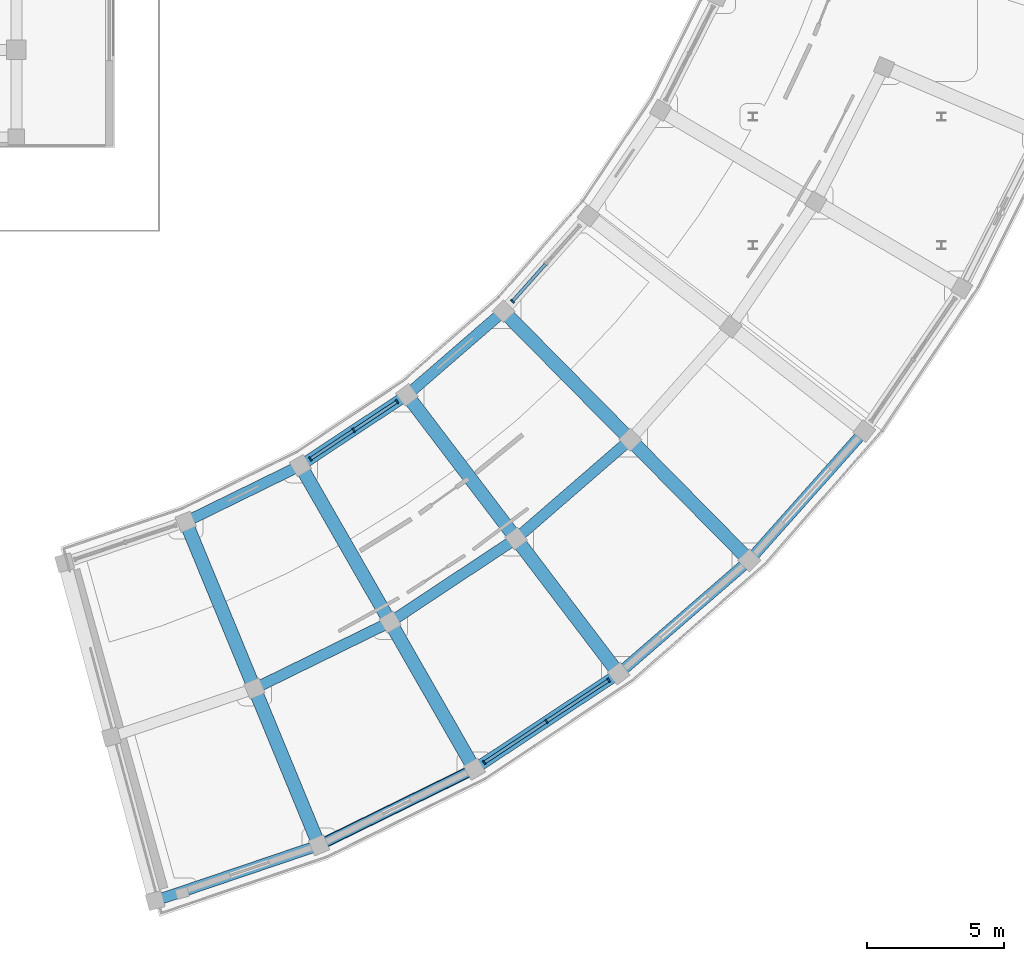
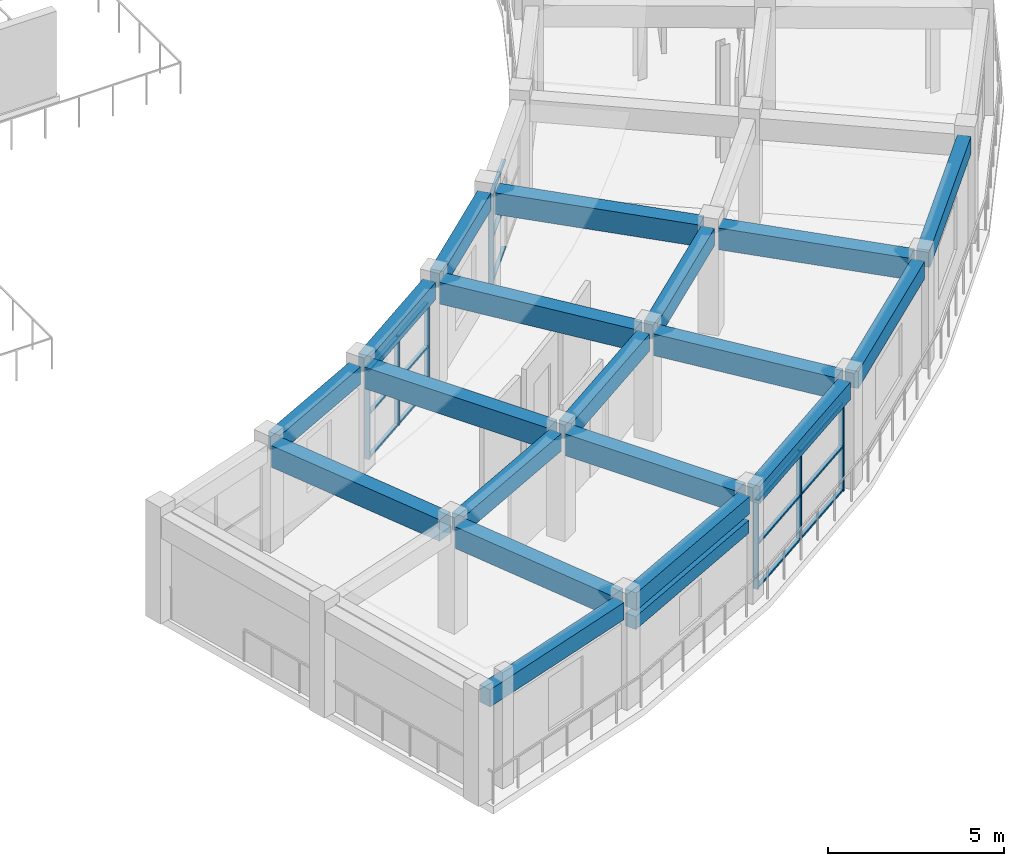
# One storey, part 23 of 72: 22 members, 20 beams, 3 elements without a shape of their own.
"""IFC4 building model written with IfcOpenShell, lengths in metres."""

from ifc_helpers import new_model, si_unit, direction, frame, origin, origin_2d, place, context, subcontext, project, spatial, rectangle, extrude, material, material_profile, profile_set, type_object, element, aggregate, save


model = new_model("IFC4")

# Units and contexts
model_context = context("Model", 3, precision=1e-05, world=origin(), true_north=direction((0.0, 1.0)))
body_context = subcontext(model_context, "Body", "Model", "MODEL_VIEW")
ifc_project = project(units=[si_unit("LENGTHUNIT", "METRE"), si_unit("AREAUNIT", "SQUARE_METRE"), si_unit("VOLUMEUNIT", "CUBIC_METRE"), si_unit("PLANEANGLEUNIT", "RADIAN"), si_unit("MASSUNIT", "GRAM", prefix="KILO")], contexts=[model_context])

# Site, building, storey
site_placement = place(None, origin())
site = spatial("IfcSite", under=ifc_project, at=site_placement, CompositionType="ELEMENT")
building_placement = place(site_placement, origin())
building = spatial("IfcBuilding", under=site, at=building_placement, Name="Saryqyr Civic Hall", CompositionType="ELEMENT")
storey_placement = place(building_placement, frame((0.0, 0.0, 17.25)))
storey = spatial("IfcBuildingStorey", under=building, at=storey_placement, Name="L04", CompositionType="ELEMENT", Elevation=17.25)

# Curtain wall, members
ifc_material_1 = material(Name="Anodised aluminium and triple low-E glass", Category="aluminium")
curtain_wall_type_1 = type_object("IfcCurtainWallType", Name="ENV-CW-STD-16", PredefinedType="NOTDEFINED", material=ifc_material_1)
curtain_wall_1_placement = place(storey_placement, origin())
curtain_wall_1 = element("IfcCurtainWall", 1, at=curtain_wall_1_placement, inside=storey, type_object=curtain_wall_type_1, Name="Curtain wall V5-CWO-L04-02", PredefinedType="NOTDEFINED")
ifc_material_2 = material(Name="Anodised aluminium", Category="aluminium")
ifc_material_profile_1 = material_profile(ifc_material_2, rectangle(XDim=0.06005859375, YDim=0.159912109375, at=origin_2d()), Name="ALU MULLION 60x160")
ifc_profile_set_1 = profile_set([ifc_material_profile_1], Name="Anodised aluminium")
member_type_1 = type_object("IfcMemberType", Name="ENV-CW-MUL-180", PredefinedType="MULLION", material=ifc_profile_set_1)
member_1_placement = place(storey_placement, frame((86.2705078125, 44.736083984375, 0.0), z_axis=(0.0, 0.0, 1.0), x_axis=(-0.833756980548, -0.552131594266, 0.0)))
member_1 = element("IfcMember", 2, at=member_1_placement, type_object=member_type_1, Name="CW-16 mullion 1", PredefinedType="MULLION", context=body_context, shape_type="SweptSolid", body=[
    extrude(rectangle(XDim=0.06005859375, YDim=0.159912109375, at=origin_2d()), origin(), (0.0, 0.0, 1.0), 3.0849609375),
])
member_2_placement = place(storey_placement, frame((83.997314453125, 43.230712890625, 0.0), z_axis=(0.0, 0.0, 1.0), x_axis=(-0.833756980548, -0.552131594266, 0.0)))
member_2 = element("IfcMember", 3, at=member_2_placement, type_object=member_type_1, Name="CW-16 mullion 2", PredefinedType="MULLION", context=body_context, shape_type="SweptSolid", body=[
    extrude(rectangle(XDim=0.06005859375, YDim=0.159912109375, at=origin_2d()), origin(), (0.0, 0.0, 1.0), 3.0849609375),
])
member_3_placement = place(storey_placement, frame((81.72412109375, 41.725341796875, 0.0), z_axis=(0.0, 0.0, 1.0), x_axis=(-0.833756980548, -0.552131594266, 0.0)))
member_3 = element("IfcMember", 4, at=member_3_placement, type_object=member_type_1, Name="CW-16 mullion 3", PredefinedType="MULLION", context=body_context, shape_type="SweptSolid", body=[
    extrude(rectangle(XDim=0.06005859375, YDim=0.159912109375, at=origin_2d()), origin(), (0.0, 0.0, 1.0), 3.0849609375),
])

curtain_wall_type_2 = type_object("IfcCurtainWallType", Name="ENV-CW-STD-17", PredefinedType="NOTDEFINED", material=ifc_material_1)
curtain_wall_2_placement = place(storey_placement, origin())
curtain_wall_2 = element("IfcCurtainWall", 5, at=curtain_wall_2_placement, inside=storey, type_object=curtain_wall_type_2, Name="Curtain wall V5-CWI-L04-02", PredefinedType="NOTDEFINED")
member_4_placement = place(storey_placement, frame((75.36083984375, 52.83154296875, 0.0), z_axis=(0.0, 0.0, 1.0), x_axis=(0.833756291383, 0.552132634953, 0.0)))
member_4 = element("IfcMember", 6, at=member_4_placement, type_object=member_type_1, Name="CW-17 mullion 1", PredefinedType="MULLION", context=body_context, shape_type="SweptSolid", body=[
    extrude(rectangle(XDim=0.06005859375, YDim=0.159912109375, at=origin_2d()), origin(), (0.0, 0.0, 1.0), 3.0849609375),
])
member_5_placement = place(storey_placement, frame((76.945068359375, 53.880615234375, 0.0), z_axis=(0.0, 0.0, 1.0), x_axis=(0.833756291383, 0.552132634953, 0.0)))
member_5 = element("IfcMember", 7, at=member_5_placement, type_object=member_type_1, Name="CW-17 mullion 2", PredefinedType="MULLION", context=body_context, shape_type="SweptSolid", body=[
    extrude(rectangle(XDim=0.06005859375, YDim=0.159912109375, at=origin_2d()), origin(), (0.0, 0.0, 1.0), 3.0849609375),
])
member_6_placement = place(storey_placement, frame((78.529052734375, 54.9296875, 0.0), z_axis=(0.0, 0.0, 1.0), x_axis=(0.833756291383, 0.552132634953, 0.0)))
member_6 = element("IfcMember", 8, at=member_6_placement, type_object=member_type_1, Name="CW-17 mullion 3", PredefinedType="MULLION", context=body_context, shape_type="SweptSolid", body=[
    extrude(rectangle(XDim=0.06005859375, YDim=0.159912109375, at=origin_2d()), origin(), (0.0, 0.0, 1.0), 3.0849609375),
])

# Curtain wall, member
curtain_wall_type_3 = type_object("IfcCurtainWallType", Name="ENV-CW-STD-20", PredefinedType="NOTDEFINED", material=ifc_material_1)
curtain_wall_3_placement = place(storey_placement, origin())
curtain_wall_3 = element("IfcCurtainWall", 9, at=curtain_wall_3_placement, inside=storey, type_object=curtain_wall_type_3, Name="Curtain wall V5-CWI-L04-04", PredefinedType="NOTDEFINED")
member_7_placement = place(storey_placement, frame((82.74951171875, 58.595947265625, 0.0), z_axis=(0.0, 0.0, 1.0), x_axis=(0.664934070862, 0.7469020561, 0.0)))
member_7 = element("IfcMember", 10, at=member_7_placement, type_object=member_type_1, Name="CW-20 mullion 1", PredefinedType="MULLION", context=body_context, shape_type="SweptSolid", body=[
    extrude(rectangle(XDim=0.06005859375, YDim=0.159912109375, at=origin_2d()), origin(), (0.0, 0.0, 1.0), 3.0849609375),
])

# Member
ifc_material_profile_2 = material_profile(ifc_material_2, rectangle(XDim=0.1201171875, YDim=0.06005859375, at=origin_2d()), Name="ALU TRANSOM 120x60")
ifc_profile_set_2 = profile_set([ifc_material_profile_2], Name="Anodised aluminium")
member_type_2 = type_object("IfcMemberType", Name="ENV-CW-TRN-150", PredefinedType="USERDEFINED", material=ifc_profile_set_2)
member_8_placement = place(storey_placement, frame((86.24560546875, 44.719482421875, 0.030029296875), z_axis=(-0.833764852013, -0.552119707625, 0.0), x_axis=(0.552119707625, -0.833764852013, 0.0)))
member_8 = element("IfcMember", 11, at=member_8_placement, type_object=member_type_2, Name="CW-16 transom 1.1", ObjectType="TRANSOM", PredefinedType="USERDEFINED", context=body_context, shape_type="SweptSolid", body=[
    extrude(rectangle(XDim=0.1201171875, YDim=0.06005859375, at=origin_2d()), origin(), (0.0, 0.0, 1.0), 2.66650390625),
])

member_9_placement = place(storey_placement, frame((86.24560546875, 44.719482421875, 1.54296875), z_axis=(-0.833764852013, -0.552119707625, 0.0), x_axis=(0.552119707625, -0.833764852013, 0.0)))
member_9 = element("IfcMember", 12, at=member_9_placement, type_object=member_type_2, Name="CW-16 transom 1.2", ObjectType="TRANSOM", PredefinedType="USERDEFINED", context=body_context, shape_type="SweptSolid", body=[
    extrude(rectangle(XDim=0.1201171875, YDim=0.06005859375, at=origin_2d()), origin(), (0.0, 0.0, 1.0), 2.66650390625),
])

member_10_placement = place(storey_placement, frame((86.24560546875, 44.719482421875, 3.054931640625), z_axis=(-0.833764852013, -0.552119707625, 0.0), x_axis=(0.552119707625, -0.833764852013, 0.0)))
member_10 = element("IfcMember", 13, at=member_10_placement, type_object=member_type_2, Name="CW-16 transom 1.3", ObjectType="TRANSOM", PredefinedType="USERDEFINED", context=body_context, shape_type="SweptSolid", body=[
    extrude(rectangle(XDim=0.1201171875, YDim=0.06005859375, at=origin_2d()), origin(), (0.0, 0.0, 1.0), 2.66650390625),
])

member_11_placement = place(storey_placement, frame((83.972412109375, 43.214111328125, 0.030029296875), z_axis=(-0.833792760269, -0.552077560604, 0.0), x_axis=(0.552077560604, -0.833792760269, 0.0)))
member_11 = element("IfcMember", 14, at=member_11_placement, type_object=member_type_2, Name="CW-16 transom 2.1", ObjectType="TRANSOM", PredefinedType="USERDEFINED", context=body_context, shape_type="SweptSolid", body=[
    extrude(rectangle(XDim=0.1201171875, YDim=0.06005859375, at=origin_2d()), origin(), (0.0, 0.0, 1.0), 2.66650390625),
])

member_12_placement = place(storey_placement, frame((83.972412109375, 43.214111328125, 1.54296875), z_axis=(-0.833792760269, -0.552077560604, 0.0), x_axis=(0.552077560604, -0.833792760269, 0.0)))
member_12 = element("IfcMember", 15, at=member_12_placement, type_object=member_type_2, Name="CW-16 transom 2.2", ObjectType="TRANSOM", PredefinedType="USERDEFINED", context=body_context, shape_type="SweptSolid", body=[
    extrude(rectangle(XDim=0.1201171875, YDim=0.06005859375, at=origin_2d()), origin(), (0.0, 0.0, 1.0), 2.66650390625),
])

member_13_placement = place(storey_placement, frame((83.972412109375, 43.214111328125, 3.054931640625), z_axis=(-0.833792760269, -0.552077560604, 0.0), x_axis=(0.552077560604, -0.833792760269, 0.0)))
member_13 = element("IfcMember", 16, at=member_13_placement, type_object=member_type_2, Name="CW-16 transom 2.3", ObjectType="TRANSOM", PredefinedType="USERDEFINED", context=body_context, shape_type="SweptSolid", body=[
    extrude(rectangle(XDim=0.1201171875, YDim=0.06005859375, at=origin_2d()), origin(), (0.0, 0.0, 1.0), 2.66650390625),
])

aggregate(curtain_wall_1, [member_1, member_2, member_3, member_8, member_9, member_10, member_11, member_12, member_13])

member_14_placement = place(storey_placement, frame((75.385986328125, 52.84814453125, 0.030029296875), z_axis=(0.833740862304, 0.552155933161, 0.0), x_axis=(-0.552155933161, 0.833740862304, 0.0)))
member_14 = element("IfcMember", 17, at=member_14_placement, type_object=member_type_2, Name="CW-17 transom 1.1", ObjectType="TRANSOM", PredefinedType="USERDEFINED", context=body_context, shape_type="SweptSolid", body=[
    extrude(rectangle(XDim=0.1201171875, YDim=0.06005859375, at=origin_2d()), origin(), (0.0, 0.0, 1.0), 1.83984375),
])

member_15_placement = place(storey_placement, frame((75.385986328125, 52.84814453125, 1.54296875), z_axis=(0.833740862304, 0.552155933161, 0.0), x_axis=(-0.552155933161, 0.833740862304, 0.0)))
member_15 = element("IfcMember", 18, at=member_15_placement, type_object=member_type_2, Name="CW-17 transom 1.2", ObjectType="TRANSOM", PredefinedType="USERDEFINED", context=body_context, shape_type="SweptSolid", body=[
    extrude(rectangle(XDim=0.1201171875, YDim=0.06005859375, at=origin_2d()), origin(), (0.0, 0.0, 1.0), 1.83984375),
])

member_16_placement = place(storey_placement, frame((75.385986328125, 52.84814453125, 3.054931640625), z_axis=(0.833740862304, 0.552155933161, 0.0), x_axis=(-0.552155933161, 0.833740862304, 0.0)))
member_16 = element("IfcMember", 19, at=member_16_placement, type_object=member_type_2, Name="CW-17 transom 1.3", ObjectType="TRANSOM", PredefinedType="USERDEFINED", context=body_context, shape_type="SweptSolid", body=[
    extrude(rectangle(XDim=0.1201171875, YDim=0.06005859375, at=origin_2d()), origin(), (0.0, 0.0, 1.0), 1.83984375),
])

member_17_placement = place(storey_placement, frame((76.969970703125, 53.897216796875, 0.030029296875), z_axis=(0.833740862304, 0.552155933161, 0.0), x_axis=(-0.552155933161, 0.833740862304, 0.0)))
member_17 = element("IfcMember", 20, at=member_17_placement, type_object=member_type_2, Name="CW-17 transom 2.1", ObjectType="TRANSOM", PredefinedType="USERDEFINED", context=body_context, shape_type="SweptSolid", body=[
    extrude(rectangle(XDim=0.1201171875, YDim=0.06005859375, at=origin_2d()), origin(), (0.0, 0.0, 1.0), 1.83984375),
])

member_18_placement = place(storey_placement, frame((76.969970703125, 53.897216796875, 1.54296875), z_axis=(0.833740862304, 0.552155933161, 0.0), x_axis=(-0.552155933161, 0.833740862304, 0.0)))
member_18 = element("IfcMember", 21, at=member_18_placement, type_object=member_type_2, Name="CW-17 transom 2.2", ObjectType="TRANSOM", PredefinedType="USERDEFINED", context=body_context, shape_type="SweptSolid", body=[
    extrude(rectangle(XDim=0.1201171875, YDim=0.06005859375, at=origin_2d()), origin(), (0.0, 0.0, 1.0), 1.83984375),
])

member_19_placement = place(storey_placement, frame((76.969970703125, 53.897216796875, 3.054931640625), z_axis=(0.833740862304, 0.552155933161, 0.0), x_axis=(-0.552155933161, 0.833740862304, 0.0)))
member_19 = element("IfcMember", 22, at=member_19_placement, type_object=member_type_2, Name="CW-17 transom 2.3", ObjectType="TRANSOM", PredefinedType="USERDEFINED", context=body_context, shape_type="SweptSolid", body=[
    extrude(rectangle(XDim=0.1201171875, YDim=0.06005859375, at=origin_2d()), origin(), (0.0, 0.0, 1.0), 1.83984375),
])

aggregate(curtain_wall_2, [member_4, member_5, member_6, member_14, member_15, member_16, member_17, member_18, member_19])

member_20_placement = place(storey_placement, frame((82.76953125, 58.618408203125, 0.030029296875), z_axis=(0.664989244005, 0.746852934223, 0.0), x_axis=(-0.746852934223, 0.664989244005, 0.0)))
member_20 = element("IfcMember", 23, at=member_20_placement, type_object=member_type_2, Name="CW-20 transom 1.1", ObjectType="TRANSOM", PredefinedType="USERDEFINED", context=body_context, shape_type="SweptSolid", body=[
    extrude(rectangle(XDim=0.1201171875, YDim=0.06005859375, at=origin_2d()), origin(), (0.0, 0.0, 1.0), 1.792236328125),
])

member_21_placement = place(storey_placement, frame((82.76953125, 58.618408203125, 1.54296875), z_axis=(0.664989244005, 0.746852934223, 0.0), x_axis=(-0.746852934223, 0.664989244005, 0.0)))
member_21 = element("IfcMember", 24, at=member_21_placement, type_object=member_type_2, Name="CW-20 transom 1.2", ObjectType="TRANSOM", PredefinedType="USERDEFINED", context=body_context, shape_type="SweptSolid", body=[
    extrude(rectangle(XDim=0.1201171875, YDim=0.06005859375, at=origin_2d()), origin(), (0.0, 0.0, 1.0), 1.792236328125),
])

member_22_placement = place(storey_placement, frame((82.76953125, 58.618408203125, 3.054931640625), z_axis=(0.664989244005, 0.746852934223, 0.0), x_axis=(-0.746852934223, 0.664989244005, 0.0)))
member_22 = element("IfcMember", 25, at=member_22_placement, type_object=member_type_2, Name="CW-20 transom 1.3", ObjectType="TRANSOM", PredefinedType="USERDEFINED", context=body_context, shape_type="SweptSolid", body=[
    extrude(rectangle(XDim=0.1201171875, YDim=0.06005859375, at=origin_2d()), origin(), (0.0, 0.0, 1.0), 1.792236328125),
])

aggregate(curtain_wall_3, [member_7, member_20, member_21, member_22])

# Beams
ifc_material_3 = material(Name="Concrete C35/45", Category="concrete")
ifc_material_profile_3 = material_profile(ifc_material_3, rectangle(XDim=0.39990234375, YDim=0.60009765625, at=origin_2d()), Name="RC 400x600")
ifc_profile_set_3 = profile_set([ifc_material_profile_3], Name="Concrete C35/45")
beam_type_1 = type_object("IfcBeamType", Name="STR-BM-RC400x600", PredefinedType="BEAM", material=ifc_profile_set_3)
for number, where, z_axis, x_axis, name in (
    (26, (73.560302734375, 44.552001953125, 3.409912109375), (0.897969369862, 0.440057962989, 0.0), (-0.440057962989, 0.897969369862, 0.0), "Beam V5-CBM-MID01-L04"),
    (27, (78.50634765625, 47.01513671875, 3.409912109375), (0.833759218515, 0.552128214767, 0.0), (-0.552128214767, 0.833759218515, 0.0), "Beam V5-CBM-MID02-L04"),
):
    element("IfcBeam", number, at=place(storey_placement, frame(where, z_axis=z_axis, x_axis=x_axis)), inside=storey, type_object=beam_type_1, Name=name, PredefinedType="BEAM", context=body_context, shape_type="SweptSolid", body=[
        extrude(rectangle(XDim=0.39990234375, YDim=0.60009765625, at=origin_2d()), origin(), (0.0, 0.0, 1.0), 4.9775390625),
    ])
beam_1_placement = place(storey_placement, frame((83.093505859375, 50.095458984375, 3.409912109375), z_axis=(0.755658334576, 0.654966015443, 0.0), x_axis=(-0.654966015443, 0.755658334576, 0.0)))
element("IfcBeam", 28, at=beam_1_placement, inside=storey, type_object=beam_type_1, Name="Beam V5-CBM-MID03-L04", PredefinedType="BEAM", context=body_context, shape_type="SweptSolid", body=[
    extrude(rectangle(XDim=0.39990234375, YDim=0.60009765625, at=origin_2d()), origin(), (0.0, 0.0, 1.0), 4.977783203125),
])
ifc_material_profile_4 = material_profile(ifc_material_3, rectangle(XDim=0.39990234375, YDim=0.60009765625, at=origin_2d()), Name="RC 400x600")
ifc_profile_set_4 = profile_set([ifc_material_profile_4], Name="Concrete C35/45")
beam_type_2 = type_object("IfcBeamType", Name="STR-BM-RC400x600-EXT", PredefinedType="BEAM", material=ifc_profile_set_4)
beam_2_placement = place(storey_placement, frame((69.942626953125, 36.7578125, 3.409912109375), z_axis=(0.947202743772, 0.320635247892, 0.0), x_axis=(-0.320635247892, 0.947202743772, 0.0)))
element("IfcBeam", 29, at=beam_2_placement, inside=storey, type_object=beam_type_2, Name="Beam V5-CBM-OUT00-L04", PredefinedType="BEAM", context=body_context, shape_type="SweptSolid", body=[
    extrude(rectangle(XDim=0.39990234375, YDim=0.60009765625, at=origin_2d()), origin(), (0.0, 0.0, 1.0), 5.778564453125),
])
beam_3_placement = place(storey_placement, frame((71.044677734375, 50.653564453125, 3.409912109375), z_axis=(0.897961536886, 0.440073946371, 0.0), x_axis=(-0.440073946371, 0.897961536886, 0.0)))
element("IfcBeam", 30, at=beam_3_placement, inside=storey, type_object=beam_type_2, Name="Beam V5-CBM-IN01-L04", PredefinedType="BEAM", context=body_context, shape_type="SweptSolid", body=[
    extrude(rectangle(XDim=0.39990234375, YDim=0.60009765625, at=origin_2d()), origin(), (0.0, 0.0, 1.0), 4.125244140625),
])
beam_4_placement = place(storey_placement, frame((75.92333984375, 38.81982421875, 3.409912109375), z_axis=(0.897964591433, 0.440067713577, 0.0), x_axis=(-0.440067713577, 0.897964591433, 0.0)))
element("IfcBeam", 31, at=beam_4_placement, inside=storey, type_object=beam_type_2, Name="Beam V5-CBM-OUT01-L04", PredefinedType="BEAM", context=body_context, shape_type="SweptSolid", body=[
    extrude(rectangle(XDim=0.39990234375, YDim=0.60009765625, at=origin_2d()), origin(), (0.0, 0.0, 1.0), 5.778564453125),
])
beam_5_placement = place(storey_placement, frame((75.22509765625, 52.74169921875, 3.409912109375), z_axis=(0.833757941264, 0.552130143516, 0.0), x_axis=(-0.552130143516, 0.833757941264, 0.0)))
element("IfcBeam", 32, at=beam_5_placement, inside=storey, type_object=beam_type_2, Name="Beam V5-CBM-IN02-L04", PredefinedType="BEAM", context=body_context, shape_type="SweptSolid", body=[
    extrude(rectangle(XDim=0.39990234375, YDim=0.60009765625, at=origin_2d()), origin(), (0.0, 0.0, 1.0), 4.12548828125),
])
beam_6_placement = place(storey_placement, frame((81.58837890625, 41.635498046875, 3.409912109375), z_axis=(0.833762314581, 0.552123539422, 0.0), x_axis=(-0.552123539422, 0.833762314581, 0.0)))
element("IfcBeam", 33, at=beam_6_placement, inside=storey, type_object=beam_type_2, Name="Beam V5-CBM-OUT02-L04", PredefinedType="BEAM", context=body_context, shape_type="SweptSolid", body=[
    extrude(rectangle(XDim=0.39990234375, YDim=0.60009765625, at=origin_2d()), origin(), (0.0, 0.0, 1.0), 5.778564453125),
])
beam_7_placement = place(storey_placement, frame((79.101806640625, 55.351318359375, 3.409912109375), z_axis=(0.755618782617, 0.655011645207, 0.0), x_axis=(-0.655011645207, 0.755618782617, 0.0)))
element("IfcBeam", 34, at=beam_7_placement, inside=storey, type_object=beam_type_2, Name="Beam V5-CBM-IN03-L04", PredefinedType="BEAM", context=body_context, shape_type="SweptSolid", body=[
    extrude(rectangle(XDim=0.39990234375, YDim=0.60009765625, at=origin_2d()), origin(), (0.0, 0.0, 1.0), 4.125244140625),
])
for number, where, z_axis, x_axis, name in (
    (35, (86.843505859375, 45.157958984375, 3.409912109375), (0.755654230233, 0.654970750745, 0.0), (-0.654970750745, 0.755654230233, 0.0), "Beam V5-CBM-OUT03-L04"),
    (36, (91.6005859375, 49.328125, 3.409912109375), (0.664935334845, 0.74690093083, 0.0), (-0.74690093083, 0.664935334845, 0.0), "Beam V5-CBM-OUT04-L04"),
):
    element("IfcBeam", number, at=place(storey_placement, frame(where, z_axis=z_axis, x_axis=x_axis)), inside=storey, type_object=beam_type_2, Name=name, PredefinedType="BEAM", context=body_context, shape_type="SweptSolid", body=[
        extrude(rectangle(XDim=0.39990234375, YDim=0.60009765625, at=origin_2d()), origin(), (0.0, 0.0, 1.0), 5.7783203125),
    ])
ifc_material_4 = material(Name="Concrete C40/50", Category="concrete")
ifc_material_profile_5 = material_profile(ifc_material_4, rectangle(XDim=0.5, YDim=0.75, at=origin_2d()), Name="RC 500x750")
ifc_profile_set_5 = profile_set([ifc_material_profile_5], Name="Concrete C40/50")
beam_type_3 = type_object("IfcBeamType", Name="STR-BM-RC500x750", PredefinedType="BEAM", material=ifc_profile_set_5)
beam_8_placement = place(storey_placement, frame((70.902587890625, 50.2783203125, 3.3349609375), z_axis=(0.381145552092, -0.924515044832, 0.0), x_axis=(0.924515044832, 0.381145552092, 0.0)))
element("IfcBeam", 37, at=beam_8_placement, inside=storey, type_object=beam_type_3, Name="Beam V5-RBM-A01-L04", PredefinedType="BEAM", context=body_context, shape_type="SweptSolid", body=[
    extrude(rectangle(XDim=0.5, YDim=0.75, at=origin_2d()), origin(), (0.0, 0.0, 1.0), 6.050048828125),
])
beam_9_placement = place(storey_placement, frame((73.418212890625, 44.1767578125, 3.3349609375), z_axis=(0.381114889866, -0.924527685212, 0.0), x_axis=(0.924527685212, 0.381114889866, 0.0)))
element("IfcBeam", 38, at=beam_9_placement, inside=storey, type_object=beam_type_3, Name="Beam V5-RBM-B01-L04", PredefinedType="BEAM", context=body_context, shape_type="SweptSolid", body=[
    extrude(rectangle(XDim=0.5, YDim=0.75, at=origin_2d()), origin(), (0.0, 0.0, 1.0), 5.650146484375),
])
beam_10_placement = place(storey_placement, frame((75.132568359375, 52.351318359375, 3.3349609375), z_axis=(0.497164210685, -0.867656468664, 0.0), x_axis=(0.867656468664, 0.497164210685, 0.0)))
element("IfcBeam", 39, at=beam_10_placement, inside=storey, type_object=beam_type_3, Name="Beam V5-RBM-A02-L04", PredefinedType="BEAM", context=body_context, shape_type="SweptSolid", body=[
    extrude(rectangle(XDim=0.5, YDim=0.75, at=origin_2d()), origin(), (0.0, 0.0, 1.0), 6.050048828125),
])
beam_11_placement = place(storey_placement, frame((78.413818359375, 46.624755859375, 3.3349609375), z_axis=(0.497106570518, -0.867689493741, 0.0), x_axis=(0.867689493741, 0.497106570518, 0.0)))
element("IfcBeam", 40, at=beam_11_placement, inside=storey, type_object=beam_type_3, Name="Beam V5-RBM-B02-L04", PredefinedType="BEAM", context=body_context, shape_type="SweptSolid", body=[
    extrude(rectangle(XDim=0.5, YDim=0.75, at=origin_2d()), origin(), (0.0, 0.0, 1.0), 5.64990234375),
])
beam_12_placement = place(storey_placement, frame((79.060302734375, 54.952392578125, 3.3349609375), z_axis=(0.60481209734, -0.796368210636, 0.0), x_axis=(0.796368210636, 0.60481209734, 0.0)))
element("IfcBeam", 41, at=beam_12_placement, inside=storey, type_object=beam_type_3, Name="Beam V5-RBM-A03-L04", PredefinedType="BEAM", context=body_context, shape_type="SweptSolid", body=[
    extrude(rectangle(XDim=0.5, YDim=0.75, at=origin_2d()), origin(), (0.0, 0.0, 1.0), 6.050048828125),
])
beam_13_placement = place(storey_placement, frame((83.052001953125, 49.6962890625, 3.3349609375), z_axis=(0.604814812056, -0.796366148903, 0.0), x_axis=(0.796366148903, 0.604814812056, 0.0)))
element("IfcBeam", 42, at=beam_13_placement, inside=storey, type_object=beam_type_3, Name="Beam V5-RBM-B03-L04", PredefinedType="BEAM", context=body_context, shape_type="SweptSolid", body=[
    extrude(rectangle(XDim=0.5, YDim=0.75, at=origin_2d()), origin(), (0.0, 0.0, 1.0), 5.650146484375),
])
beam_14_placement = place(storey_placement, frame((82.6201171875, 58.037841796875, 3.3349609375), z_axis=(0.702389990829, -0.711792315766, 0.0), x_axis=(0.711792315766, 0.702389990829, 0.0)))
element("IfcBeam", 43, at=beam_14_placement, inside=storey, type_object=beam_type_3, Name="Beam V5-RBM-A04-L04", PredefinedType="BEAM", context=body_context, shape_type="SweptSolid", body=[
    extrude(rectangle(XDim=0.5, YDim=0.75, at=origin_2d()), origin(), (0.0, 0.0, 1.0), 6.050048828125),
])
beam_15_placement = place(storey_placement, frame((87.256103515625, 53.340087890625, 3.3349609375), z_axis=(0.702381187414, -0.711801002785, 0.0), x_axis=(0.711801002785, 0.702381187414, 0.0)))
element("IfcBeam", 44, at=beam_15_placement, inside=storey, type_object=beam_type_3, Name="Beam V5-RBM-B04-L04", PredefinedType="BEAM", context=body_context, shape_type="SweptSolid", body=[
    extrude(rectangle(XDim=0.5, YDim=0.75, at=origin_2d()), origin(), (0.0, 0.0, 1.0), 5.650146484375),
])
ifc_material_5 = material(Name="Precast concrete C40/50", Category="concrete")
ifc_material_profile_6 = material_profile(ifc_material_5, rectangle(XDim=0.35009765625, YDim=0.449951171875, at=origin_2d()), Name="RC 350x450")
ifc_profile_set_6 = profile_set([ifc_material_profile_6], Name="Precast concrete C40/50")
beam_type_4 = type_object("IfcBeamType", Name="STR-LIN-RC350x450", PredefinedType="LINTEL", material=ifc_profile_set_6)
beam_16_placement = place(storey_placement, frame((75.92333984375, 38.81982421875, 2.655029296875), z_axis=(0.897964591433, 0.440067713577, 0.0), x_axis=(-0.440067713577, 0.897964591433, 0.0)))
element("IfcBeam", 45, at=beam_16_placement, inside=storey, type_object=beam_type_4, Name="Beam V5-LIN-01-L04", PredefinedType="LINTEL", context=body_context, shape_type="SweptSolid", body=[
    extrude(rectangle(XDim=0.35009765625, YDim=0.449951171875, at=origin_2d()), origin(), (0.0, 0.0, 1.0), 5.778564453125),
])

save(model, "model.ifc")
